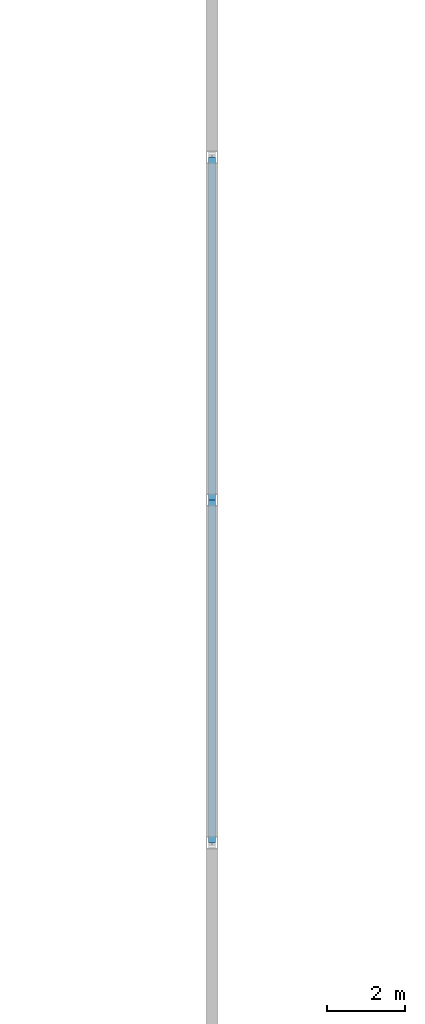
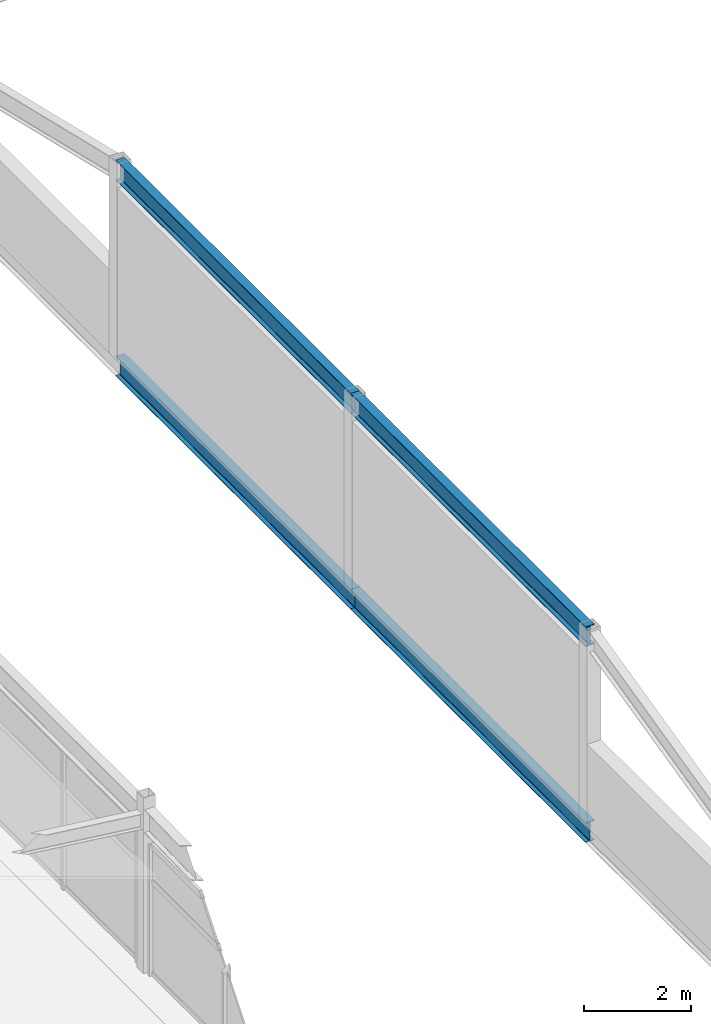
# One storey, part 27 of 114: 4 beams.
"""IFC4 building model written with IfcOpenShell, lengths in metres."""

from ifc_helpers import new_model, si_unit, direction, frame, origin, origin_2d, place, context, subcontext, project, spatial, i_section, extrude, material, material_profile, profile_set, type_object, element, save


model = new_model("IFC4")

# Units and contexts
model_context = context("Model", 3, precision=1e-05, world=origin(), true_north=direction((0.0, 1.0)))
body_context = subcontext(model_context, "Body", "Model", "MODEL_VIEW")
ifc_project = project(units=[si_unit("LENGTHUNIT", "METRE"), si_unit("AREAUNIT", "SQUARE_METRE"), si_unit("VOLUMEUNIT", "CUBIC_METRE"), si_unit("PLANEANGLEUNIT", "RADIAN"), si_unit("MASSUNIT", "GRAM", prefix="KILO")], contexts=[model_context])

# Site, building, storey
site_placement = place(None, origin())
site = spatial("IfcSite", under=ifc_project, at=site_placement, CompositionType="ELEMENT")
building_placement = place(site_placement, origin())
building = spatial("IfcBuilding", under=site, at=building_placement, Name="Chalmorin Arch Market", CompositionType="ELEMENT")
storey_placement = place(building_placement, frame((0.0, 0.0, 9.60009765625)))
storey = spatial("IfcBuildingStorey", under=building, at=storey_placement, Name="L02", CompositionType="ELEMENT", Elevation=9.60009765625)

# Beams
ifc_material = material(Name="Steel A992 Grade 50", Category="steel")
ifc_material_profile_1 = material_profile(ifc_material, i_section(OverallWidth=0.19091796875, OverallDepth=0.45703125, WebThickness=0.009033203125, FlangeThickness=0.014404296875, FilletRadius=0.02001953125, at=origin_2d()), Name="W18X50")
ifc_profile_set_1 = profile_set([ifc_material_profile_1], Name="Steel A992 Grade 50")
beam_type_1 = type_object("IfcBeamType", Name="FloorSteelBeam-W18X50", PredefinedType="BEAM", material=ifc_profile_set_1)
beam_1_placement = place(storey_placement, frame((48.0, 23.60009765625, 4.25), z_axis=(0.0, 1.0, 0.0), x_axis=(-1.0, 0.0, 0.0)))
element("IfcBeam", 1, at=beam_1_placement, inside=storey, type_object=beam_type_1, Name="BM-W18B-1797", PredefinedType="BEAM", context=body_context, shape_type="SweptSolid", body=[
    extrude(i_section(OverallWidth=0.19091796875, OverallDepth=0.45703125, WebThickness=0.009033203125, FlangeThickness=0.014404296875, FilletRadius=0.02001953125, at=origin_2d()), origin(), (0.0, 0.0, 1.0), 8.7998046875),
])
beam_2_placement = place(storey_placement, frame((48.0, 32.39990234375, 4.25), z_axis=(0.0, 1.0, 0.0), x_axis=(-1.0, 0.0, 0.0)))
element("IfcBeam", 2, at=beam_2_placement, inside=storey, type_object=beam_type_1, Name="BM-W18B-1798", PredefinedType="BEAM", context=body_context, shape_type="SweptSolid", body=[
    extrude(i_section(OverallWidth=0.19091796875, OverallDepth=0.45703125, WebThickness=0.009033203125, FlangeThickness=0.014404296875, FilletRadius=0.02001953125, at=origin_2d()), origin(), (0.0, 0.0, 1.0), 8.800048828125),
])
ifc_material_profile_2 = material_profile(ifc_material, i_section(OverallWidth=0.19091796875, OverallDepth=0.45703125, WebThickness=0.009033203125, FlangeThickness=0.014404296875, FilletRadius=0.02001953125, at=origin_2d()), Name="W18X50")
ifc_profile_set_2 = profile_set([ifc_material_profile_2], Name="Steel A992 Grade 50")
beam_type_2 = type_object("IfcBeamType", Name="PerimeterSpandrelBeam-W18X50", PredefinedType="SPANDREL", material=ifc_profile_set_2)
beam_3_placement = place(storey_placement, frame((48.0, 23.60009765625, -0.22998046875), z_axis=(0.0, 1.0, 0.0), x_axis=(-1.0, 0.0, 0.0)))
element("IfcBeam", 3, at=beam_3_placement, inside=storey, type_object=beam_type_2, Name="SP-W18-1368", PredefinedType="SPANDREL", context=body_context, shape_type="SweptSolid", body=[
    extrude(i_section(OverallWidth=0.19091796875, OverallDepth=0.45703125, WebThickness=0.009033203125, FlangeThickness=0.014404296875, FilletRadius=0.02001953125, at=origin_2d()), origin(), (0.0, 0.0, 1.0), 8.7998046875),
])
beam_4_placement = place(storey_placement, frame((48.0, 32.39990234375, -0.22998046875), z_axis=(0.0, 1.0, 0.0), x_axis=(-1.0, 0.0, 0.0)))
element("IfcBeam", 4, at=beam_4_placement, inside=storey, type_object=beam_type_2, Name="SP-W18-1369", PredefinedType="SPANDREL", context=body_context, shape_type="SweptSolid", body=[
    extrude(i_section(OverallWidth=0.19091796875, OverallDepth=0.45703125, WebThickness=0.009033203125, FlangeThickness=0.014404296875, FilletRadius=0.02001953125, at=origin_2d()), origin(), (0.0, 0.0, 1.0), 8.800048828125),
])

save(model, "model.ifc")
